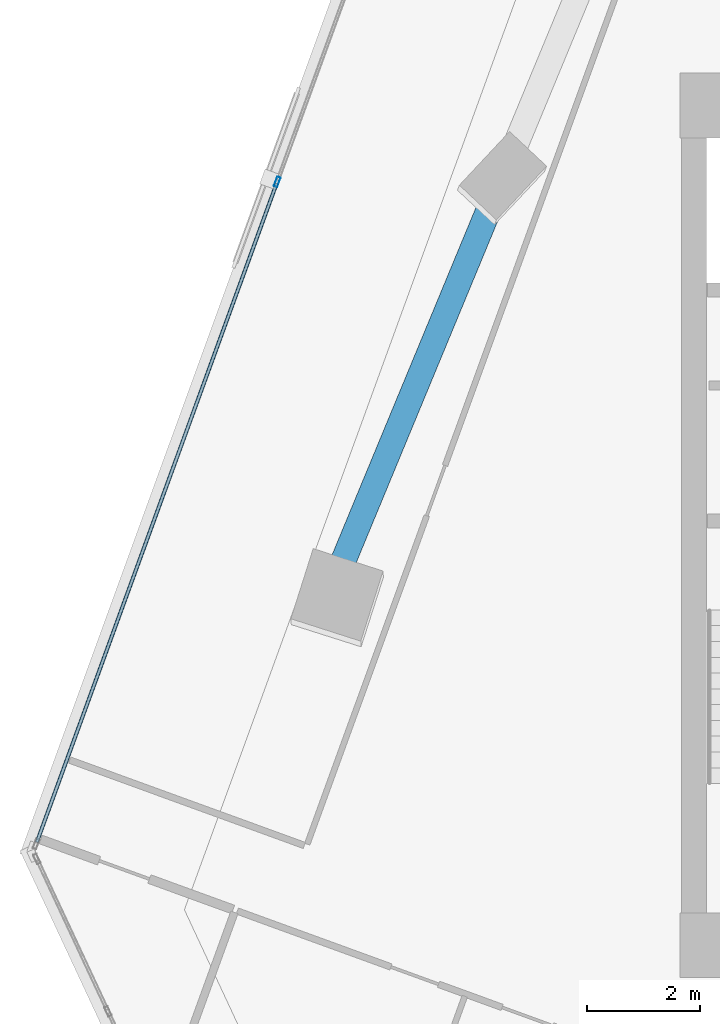
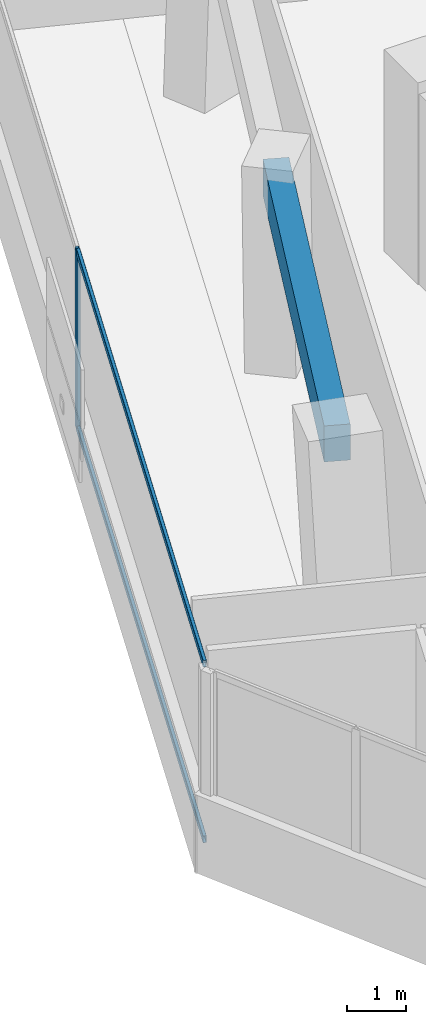
# One storey, part 6 of 21: 3 members, 1 beam, 1 element without a shape of its own.
"""IFC4 building model written with IfcOpenShell, lengths in metres."""

from ifc_helpers import new_model, si_unit, direction, frame, origin, origin_2d, place, context, subcontext, project, spatial, rectangle, hollow_rectangle, extrude, source, transform, mapped, material, material_profile, profile_set, type_object, element, aggregate, save


model = new_model("IFC4")

# Units and contexts
model_context = context("Model", 3, precision=1e-05, world=origin(), true_north=direction((0.0, 1.0)))
body_context = subcontext(model_context, "Body", "Model", "MODEL_VIEW")
ifc_project = project(units=[si_unit("LENGTHUNIT", "METRE"), si_unit("AREAUNIT", "SQUARE_METRE"), si_unit("VOLUMEUNIT", "CUBIC_METRE"), si_unit("PLANEANGLEUNIT", "RADIAN"), si_unit("MASSUNIT", "GRAM", prefix="KILO")], contexts=[model_context])

# Site, building, storey
site_placement = place(None, origin())
site = spatial("IfcSite", under=ifc_project, at=site_placement, CompositionType="ELEMENT")
building_placement = place(site_placement, origin())
building = spatial("IfcBuilding", under=site, at=building_placement, Name="Torre Montelarca", CompositionType="ELEMENT")
storey_placement = place(building_placement, frame((0.0, 0.0, 137.199951171875)))
storey = spatial("IfcBuildingStorey", under=building, at=storey_placement, Name="L30", CompositionType="ELEMENT", Elevation=137.199951171875)

# Beam
ifc_material_1 = material(Name="Concrete C55/67", Category="concrete")
ifc_material_profile_1 = material_profile(ifc_material_1, rectangle(XDim=0.449951171875, YDim=0.75, at=origin_2d()), Name="RCB450X750", Category="concrete")
ifc_profile_set_1 = profile_set([ifc_material_profile_1], Name="Concrete C55/67")
beam_type = type_object("IfcBeamType", Name="BM-SP-RC750-EXT", PredefinedType="SPANDREL", material=ifc_profile_set_1)
shared_shape_1 = source(origin(), body_context, "Body", "SweptSolid", [
    extrude(rectangle(XDim=0.449951171875, YDim=0.75, at=origin_2d()), origin(), (0.0, 0.0, 1.0), 8.0),
])
beam_placement = place(storey_placement, frame((2.87109375, 31.05712890625, 3.5849609375), z_axis=(0.382686001036, 0.923878468529, 0.0), x_axis=(-0.923878468529, 0.382686001036, 0.0)))
element("IfcBeam", 1, at=beam_placement, inside=storey, type_object=beam_type, Name="L30 Grid Girder Y 24.0-32.0 at X=4.7", PredefinedType="SPANDREL", context=body_context, shape_type="MappedRepresentation", body=[
    mapped(shared_shape_1, transform((0.0, 0.0, 0.0), scale=1.0)),
])

# Curtain wall, members
ifc_material_2 = material(Name="Insulated low-E laminated glass", Category="glass")
curtain_wall_type = type_object("IfcCurtainWallType", Name="CW-SYS-Z2", PredefinedType="USERDEFINED", material=ifc_material_2)
curtain_wall_placement = place(storey_placement, origin())
curtain_wall = element("IfcCurtainWall", 2, at=curtain_wall_placement, inside=storey, type_object=curtain_wall_type, Name="L30 Curtain Wall Run CW-T3-L30-E10-B1", ObjectType="UNITISED GLAZING", PredefinedType="USERDEFINED")
ifc_material_3 = material(Name="Anodised aluminium AA 6063-T6", Category="aluminium")
ifc_material_profile_2 = material_profile(ifc_material_3, hollow_rectangle(XDim=0.06494140625, YDim=0.139892578125, WallThickness=0.00390625, InnerFilletRadius=0.00390625, OuterFilletRadius=0.008056640625, at=origin_2d()), Name="ALU65X140X4", Category="aluminium")
ifc_profile_set_2 = profile_set([ifc_material_profile_2], Name="Anodised aluminium AA 6063-T6")
member_type_1 = type_object("IfcMemberType", Name="CWT-ALU140", PredefinedType="USERDEFINED", material=ifc_profile_set_2)
shared_shape_2 = source(origin(), body_context, "Body", "SweptSolid", [
    extrude(hollow_rectangle(XDim=0.06494140625, YDim=0.139892578125, WallThickness=0.00390625, InnerFilletRadius=0.00390625, OuterFilletRadius=0.008056640625, at=origin_2d()), origin(), (0.0, 0.0, 1.0), 12.4365234375),
])
member_1_placement = place(storey_placement, frame((1.8173828125, 38.06494140625, 0.032470703125), z_axis=(-0.342028339507, -0.939689637579, 0.0), x_axis=(0.939689637579, -0.342028339507, 0.0)))
member_1 = element("IfcMember", 3, at=member_1_placement, type_object=member_type_1, Name="CW transom 2.1", ObjectType="TRANSOM", PredefinedType="USERDEFINED", context=body_context, shape_type="MappedRepresentation", body=[
    mapped(shared_shape_2, transform((0.0, 0.0, 0.0), scale=1.0)),
])
member_2_placement = place(storey_placement, frame((1.8173828125, 38.06494140625, 3.6875), z_axis=(-0.342028339507, -0.939689637579, 0.0), x_axis=(0.939689637579, -0.342028339507, 0.0)))
member_2 = element("IfcMember", 4, at=member_2_placement, type_object=member_type_1, Name="CW transom 2.2", ObjectType="TRANSOM", PredefinedType="USERDEFINED", context=body_context, shape_type="MappedRepresentation", body=[
    mapped(shared_shape_2, transform((0.0, 0.0, 0.0), scale=1.0)),
])
ifc_material_profile_3 = material_profile(ifc_material_3, hollow_rectangle(XDim=0.06494140625, YDim=0.179931640625, WallThickness=0.00390625, InnerFilletRadius=0.00390625, OuterFilletRadius=0.008056640625, at=origin_2d()), Name="ALU65X180X4", Category="aluminium")
ifc_profile_set_3 = profile_set([ifc_material_profile_3], Name="Anodised aluminium AA 6063-T6")
member_type_2 = type_object("IfcMemberType", Name="CWM-ALU180", PredefinedType="MULLION", material=ifc_profile_set_3)
shared_shape_3 = source(origin(), body_context, "Body", "SweptSolid", [
    extrude(hollow_rectangle(XDim=0.06494140625, YDim=0.179931640625, WallThickness=0.00390625, InnerFilletRadius=0.00390625, OuterFilletRadius=0.008056640625, at=origin_2d()), origin(), (0.0, 0.0, 1.0), 3.719970703125),
])
member_3_placement = place(storey_placement, frame((1.82861328125, 38.095703125, 0.0), z_axis=(0.0, 0.0, 1.0), x_axis=(0.939692985234, -0.342019142012, 0.0)))
member_3 = element("IfcMember", 5, at=member_3_placement, type_object=member_type_2, Name="CW mullion 2", PredefinedType="MULLION", context=body_context, shape_type="MappedRepresentation", body=[
    mapped(shared_shape_3, transform((0.0, 0.0, 0.0), scale=1.0)),
])
aggregate(curtain_wall, [member_3, member_1, member_2])

save(model, "model.ifc")
